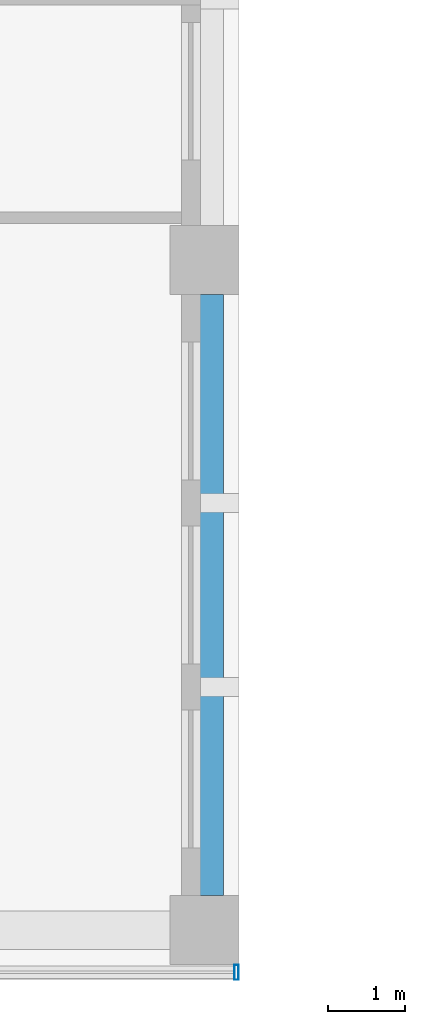
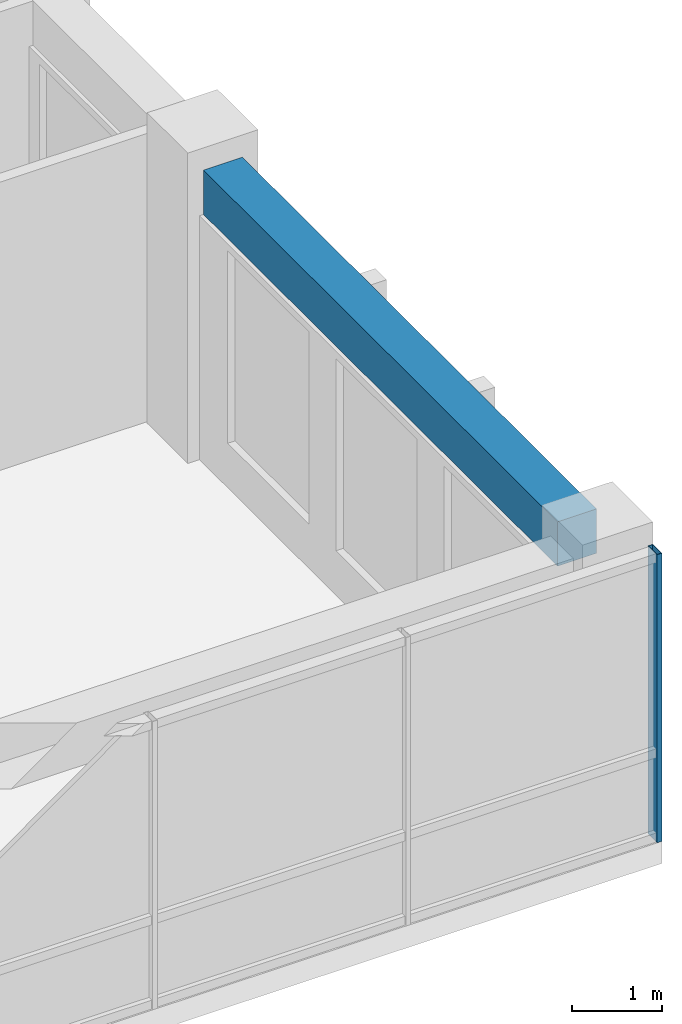
# One storey, part 15 of 38: 1 beam, 1 member, 1 element without a shape of its own.
"""IFC4 building model written with IfcOpenShell, lengths in metres."""

import ifcopenshell
import ifcopenshell.guid

model = None  # the IFC model being written
_history = None  # IfcOwnerHistory: only IFC2X3 demands one
_inside = {}  # id of a spatial element -> (the spatial element, [elements in it])
_under = {}  # id of a project, library or spatial element -> (it, [spatial elements below it])
_declared = {}  # id of a project -> (the project, [libraries it declares])
_typed = {}  # id of a type object -> (the type object, [elements of that type])
_made_of = {}  # id of a material, layer set ... -> (it, [elements and type objects made of it])


def new_model(schema):
    """Start an empty IFC model of exactly this schema.

    Asked for "IFC4X3", IfcOpenShell would pick the latest addendum, in which some entities
    have other attributes; the version numbers below select the first issue.
    IFC2X3 requires an IfcOwnerHistory on every rooted entity: one is made here for all.
    """
    global model, _history
    if schema == "IFC4X3":
        model = ifcopenshell.file(schema_version=(4, 3, 0, 0))
    else:
        model = ifcopenshell.file(schema=schema)
    _inside.clear()
    _under.clear()
    _declared.clear()
    _typed.clear()
    _made_of.clear()
    _history = None
    if model.schema == "IFC2X3":
        org = make("IfcOrganization", Name="unknown")
        user = make(
            "IfcPersonAndOrganization",
            ThePerson=make("IfcPerson", FamilyName="unknown"),
            TheOrganization=org,
        )
        app = make(
            "IfcApplication",
            ApplicationDeveloper=org,
            Version="unknown",
            ApplicationFullName="unknown",
            ApplicationIdentifier="unknown",
        )
        _history = make(
            "IfcOwnerHistory",
            OwningUser=user,
            OwningApplication=app,
            ChangeAction="ADDED",
            CreationDate=0,
        )
    return model


def make(cls, **values):
    """One entity of the class cls with the attributes given. An attribute that is None is left unset."""
    return model.create_entity(
        cls, **{name: value for name, value in values.items() if value is not None}
    )


def rooted(cls, **values):
    """An entity with a GlobalId (a new one), such as an element, a storey or a relation."""
    return make(cls, GlobalId=ifcopenshell.guid.new(), OwnerHistory=_history, **values)


def si_unit(unit_type, name, prefix=None):
    """IfcSIUnit, for example si_unit("LENGTHUNIT", "METRE", prefix="MILLI")."""
    return make("IfcSIUnit", UnitType=unit_type, Prefix=prefix, Name=name)


def assignment(units):
    """IfcUnitAssignment: the units of a project."""
    return None if units is None else make("IfcUnitAssignment", Units=units)


def point(xyz):
    """IfcCartesianPoint."""
    return None if xyz is None else make("IfcCartesianPoint", Coordinates=xyz)


def direction(xyz):
    """IfcDirection."""
    return None if xyz is None else make("IfcDirection", DirectionRatios=xyz)


def frame(location, z_axis=None, x_axis=None):
    """IfcAxis2Placement3D, a coordinate frame: its origin and axes. An axis left out is left unset."""
    return make(
        "IfcAxis2Placement3D",
        Location=point(location),
        Axis=direction(z_axis),
        RefDirection=direction(x_axis),
    )


def frame_2d(location, x_axis=None):
    """IfcAxis2Placement2D, a coordinate frame in the plane: its origin and x axis."""
    return make(
        "IfcAxis2Placement2D", Location=point(location), RefDirection=direction(x_axis)
    )


def origin():
    """The frame at (0, 0, 0) with its axes left unset."""
    return frame((0.0, 0.0, 0.0))


def origin_2d():
    """The frame at (0, 0) in the plane with its x axis left unset."""
    return frame_2d((0.0, 0.0))


def place(relative_to, where):
    """IfcLocalPlacement: puts the frame where relative to a parent placement (None: the world)."""
    return make(
        "IfcLocalPlacement", PlacementRelTo=relative_to, RelativePlacement=where
    )


def context(
    kind, dimensions, precision=None, world=None, true_north=None, identifier=None
):
    """IfcGeometricRepresentationContext, for example the 3D "Model" context."""
    return make(
        "IfcGeometricRepresentationContext",
        ContextIdentifier=identifier,
        ContextType=kind,
        CoordinateSpaceDimension=dimensions,
        Precision=precision,
        WorldCoordinateSystem=world,
        TrueNorth=true_north,
    )


def subcontext(parent, identifier, kind, view, scale=None):
    """IfcGeometricRepresentationSubContext, for example "Body" below "Model"."""
    return make(
        "IfcGeometricRepresentationSubContext",
        ContextIdentifier=identifier,
        ContextType=kind,
        ParentContext=parent,
        TargetScale=scale,
        TargetView=view,
    )


def project(units=None, contexts=None):
    """IfcProject with its units and contexts."""
    return rooted(
        "IfcProject",
        Name="project",
        RepresentationContexts=contexts,
        UnitsInContext=assignment(units),
    )


def spatial(cls, under=None, at=None, **own):
    """A site, building, storey or space (cls), placed at a placement, below another one or the project."""
    s = rooted(cls, ObjectPlacement=at, **own)
    if under is not None:
        _under.setdefault(under.id(), (under, []))[1].append(s)
    return s


def profile(cls, at=None, kind="AREA", **sizes):
    """A parametric profile (cls). Its sizes go by their IFC names, for example OverallWidth=200.0."""
    return make(cls, ProfileType=kind, Position=at, **sizes)


def rectangle(**sizes):
    """IfcRectangleProfileDef."""
    return profile("IfcRectangleProfileDef", **sizes)


def hollow_rectangle(**sizes):
    """IfcRectangleHollowProfileDef."""
    return profile("IfcRectangleHollowProfileDef", **sizes)


def extrude(swept, where, along, depth):
    """IfcExtrudedAreaSolid: the profile swept, set in the frame where, extruded along a direction by depth."""
    return make(
        "IfcExtrudedAreaSolid",
        SweptArea=swept,
        Position=where,
        ExtrudedDirection=direction(along),
        Depth=depth,
    )


def shape(context_of_items, identifier, shape_type, items):
    """IfcShapeRepresentation: the items that make up one representation, for example the "Body"."""
    return make(
        "IfcShapeRepresentation",
        ContextOfItems=context_of_items,
        RepresentationIdentifier=identifier,
        RepresentationType=shape_type,
        Items=items,
    )


def material(Name=None, Category=None):
    """IfcMaterial."""
    return make("IfcMaterial", Name=Name, Category=Category)


def layer(
    of_material, thickness, ventilated=None, Name=None, Category=None, Priority=None
):
    """IfcMaterialLayer: one layer of a wall or slab, of a material (None: an air gap)."""
    return make(
        "IfcMaterialLayer",
        Material=of_material,
        LayerThickness=thickness,
        IsVentilated=ventilated,
        Name=Name,
        Category=Category,
        Priority=Priority,
    )


def layer_set(layers, Name=None):
    """IfcMaterialLayerSet."""
    return make("IfcMaterialLayerSet", MaterialLayers=layers, LayerSetName=Name)


def material_profile(
    of_material, cross_section, Name=None, Category=None, Priority=None
):
    """IfcMaterialProfile: a cross section and its material."""
    return make(
        "IfcMaterialProfile",
        Name=Name,
        Material=of_material,
        Profile=cross_section,
        Priority=Priority,
        Category=Category,
    )


def profile_set(profiles, Name=None, composite=None):
    """IfcMaterialProfileSet."""
    return make(
        "IfcMaterialProfileSet",
        Name=Name,
        MaterialProfiles=profiles,
        CompositeProfile=composite,
    )


def made_of(thing, what):
    """Note that an element or type object is made of a material, layer set ...; save() writes the relation."""
    if what is not None:
        _made_of.setdefault(what.id(), (what, []))[1].append(thing)
    return thing


def type_object(cls, material=None, **own):
    """A type object (cls), such as IfcWallType, which elements share."""
    return made_of(rooted(cls, **own), material)


def element(
    cls,
    number,
    at=None,
    inside=None,
    cuts=None,
    type_object=None,
    material=None,
    context=None,
    identifier="Body",
    shape_type=None,
    held_by="IfcProductDefinitionShape",
    body=None,
    shapes=None,
    **own,
):
    """One element of the class cls, such as IfcWall. Its Tag is "e" and its number.

    at: its placement. inside: the storey or other place that contains it. cuts: it is an
    opening in that element (IfcRelVoidsElement). A single representation is given by context,
    identifier, shape_type and body (its items); several are given by shapes. held_by: the class
    of the entity that holds the representations. save() writes the other relations.
    """
    e = rooted(cls, Tag="e%d" % number, ObjectPlacement=at, **own)
    if body is not None:
        shapes = [shape(context, identifier, shape_type, body)]
    if shapes is not None:
        e.Representation = make(held_by, Representations=shapes)
    if inside is not None:
        _inside.setdefault(inside.id(), (inside, []))[1].append(e)
    if cuts is not None:
        rooted(
            "IfcRelVoidsElement", RelatingBuildingElement=cuts, RelatedOpeningElement=e
        )
    if type_object is not None:
        _typed.setdefault(type_object.id(), (type_object, []))[1].append(e)
    return made_of(e, material)


def aggregate(whole, parts):
    """IfcRelAggregates: a whole, such as a stair, and the parts it consists of."""
    return rooted("IfcRelAggregates", RelatingObject=whole, RelatedObjects=parts)


def save(model, path):
    """Write the relations noted so far, then the file.

    IfcRelAggregates (storeys below a building ...), IfcRelContainedInSpatialStructure (elements
    in a storey), IfcRelDefinesByType, IfcRelAssociatesMaterial and IfcRelDeclares: one each for
    every whole, place, type object, material and project.
    """
    for whole, parts in _under.values():
        aggregate(whole, parts)
    for where, things in _inside.values():
        rooted(
            "IfcRelContainedInSpatialStructure",
            RelatedElements=things,
            RelatingStructure=where,
        )
    for kind, things in _typed.values():
        rooted("IfcRelDefinesByType", RelatedObjects=things, RelatingType=kind)
    for what, things in _made_of.values():
        rooted("IfcRelAssociatesMaterial", RelatedObjects=things, RelatingMaterial=what)
    for by, libraries in _declared.values():
        rooted("IfcRelDeclares", RelatingContext=by, RelatedDefinitions=libraries)
    model.write(path)


model = new_model("IFC4")

# Units and contexts
model_context = context("Model", 3, precision=1e-05, world=origin(), true_north=direction((0.0, 1.0)))
body_context = subcontext(model_context, "Body", "Model", "MODEL_VIEW")
ifc_project = project(units=[si_unit("LENGTHUNIT", "METRE"), si_unit("AREAUNIT", "SQUARE_METRE"), si_unit("VOLUMEUNIT", "CUBIC_METRE"), si_unit("PLANEANGLEUNIT", "RADIAN"), si_unit("MASSUNIT", "GRAM", prefix="KILO")], contexts=[model_context])

# Site, building, storey
site_placement = place(None, origin())
site = spatial("IfcSite", under=ifc_project, at=site_placement, CompositionType="ELEMENT")
building_placement = place(site_placement, origin())
building = spatial("IfcBuilding", under=site, at=building_placement, Name="Nzadi Deep Aquarium and Research Tower", CompositionType="ELEMENT")
storey_placement = place(building_placement, frame((0.0, 0.0, 65.5)))
storey = spatial("IfcBuildingStorey", under=building, at=storey_placement, Name="L13", CompositionType="ELEMENT", Elevation=65.5)

# Curtain wall, member
ifc_material_1 = material(Name="Aluminium unitised frame", Category="aluminium")
ifc_layer = layer(ifc_material_1, 0.199951171875)
ifc_layer_set = layer_set([ifc_layer], Name="Aluminium unitised frame")
curtain_wall_type = type_object("IfcCurtainWallType", Name="Curtain wall Unitised 200", PredefinedType="NOTDEFINED", material=ifc_layer_set)
curtain_wall_placement = place(storey_placement, origin())
curtain_wall = element("IfcCurtainWall", 1, at=curtain_wall_placement, inside=storey, type_object=curtain_wall_type, Name="Unitised curtain wall blade A south L13", PredefinedType="NOTDEFINED")
ifc_material_2 = material(Name="Aluminium unitised frame", Category="aluminium")
ifc_material_profile_1 = material_profile(ifc_material_2, hollow_rectangle(XDim=0.199951171875, YDim=0.06005859375, WallThickness=0.0048828125, at=origin_2d()))
ifc_profile_set_1 = profile_set([ifc_material_profile_1], Name="Aluminium unitised frame")
member_type = type_object("IfcMemberType", Name="Mullion 60x200 Unitised", PredefinedType="MULLION", material=ifc_profile_set_1)
member_placement = place(storey_placement, frame((48.419921875, -0.10009765625, 0.0), z_axis=(0.0, 0.0, 1.0), x_axis=(0.0, 1.0, 0.0)))
member = element("IfcMember", 2, at=member_placement, type_object=member_type, Name="CW057 mullion 16", PredefinedType="MULLION", context=body_context, shape_type="SweptSolid", body=[
    extrude(hollow_rectangle(XDim=0.199951171875, YDim=0.06005859375, WallThickness=0.0048828125, at=origin_2d()), origin(), (0.0, 0.0, 1.0), 3.89990234375),
])
aggregate(curtain_wall, [member])

# Beam
ifc_material_3 = material(Name="Concrete C35/45", Category="concrete")
ifc_material_profile_2 = material_profile(ifc_material_3, rectangle(XDim=0.5, YDim=0.60009765625, at=origin_2d()))
ifc_profile_set_2 = profile_set([ifc_material_profile_2], Name="Concrete C35/45")
beam_type = type_object("IfcBeamType", Name="RC 500x600", PredefinedType="BEAM", material=ifc_profile_set_2)
beam_placement = place(storey_placement, frame((48.0, 0.89990234375, 3.60009765625), z_axis=(0.0, 1.0, 0.0), x_axis=(-1.0, 0.0, 0.0)))
element("IfcBeam", 3, at=beam_placement, inside=storey, type_object=beam_type, Name="B-Z1-L13-CF-1-1", PredefinedType="BEAM", context=body_context, shape_type="SweptSolid", body=[
    extrude(rectangle(XDim=0.5, YDim=0.60009765625, at=origin_2d()), origin(), (0.0, 0.0, 1.0), 7.85009765625),
])

save(model, "model.ifc")
